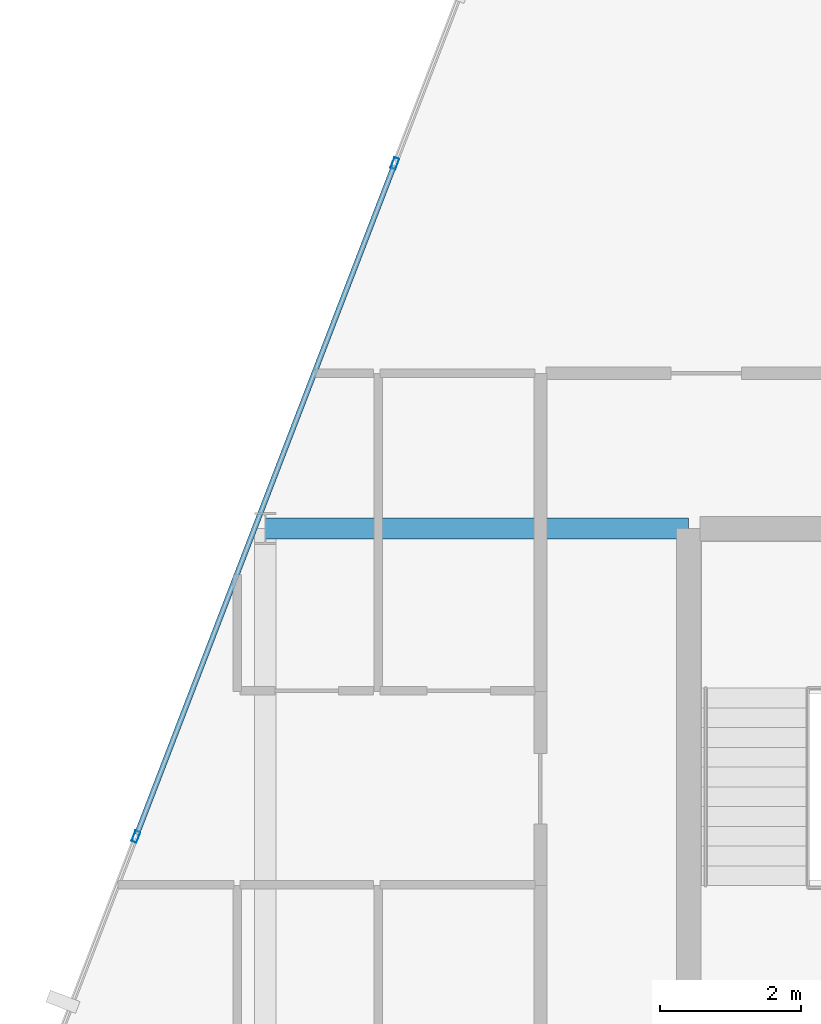
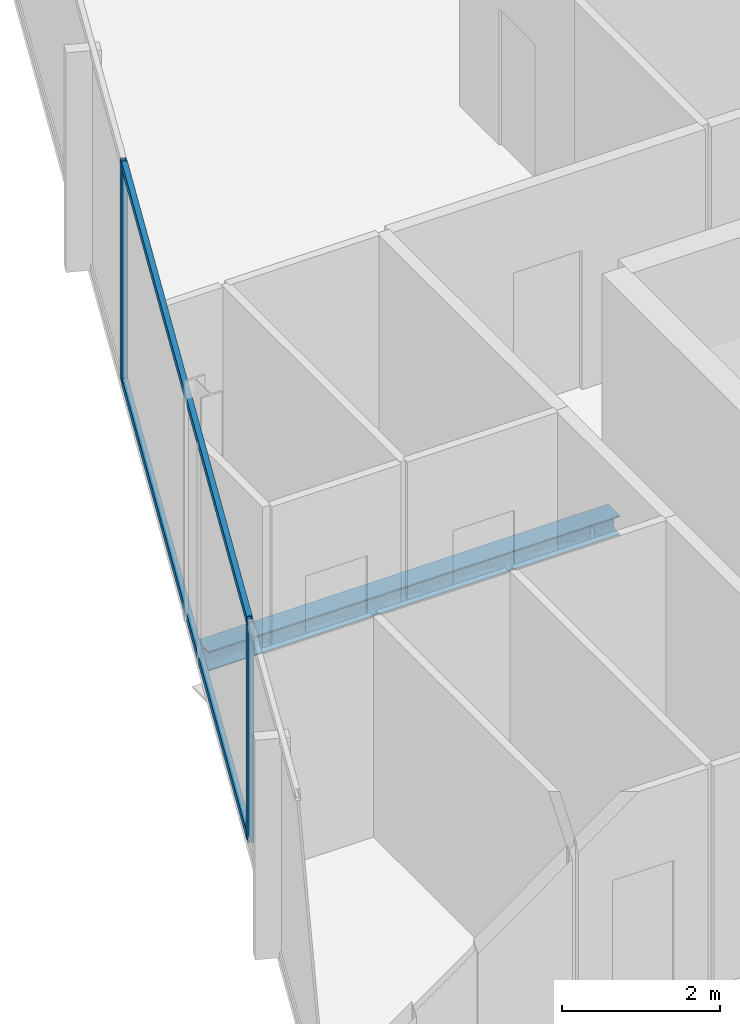
# One storey, part 16 of 29: 4 members, 1 beam, 1 element without a shape of its own.
"""IFC4 building model written with IfcOpenShell, lengths in metres."""

from ifc_helpers import new_model, si_unit, direction, frame, origin, origin_2d, place, context, subcontext, project, spatial, hollow_rectangle, i_section, extrude, material, layer, layer_set, material_profile, profile_set, type_object, element, aggregate, save


model = new_model("IFC4")

# Units and contexts
model_context = context("Model", 3, precision=1e-05, world=origin(), true_north=direction((0.0, 1.0)))
body_context = subcontext(model_context, "Body", "Model", "MODEL_VIEW")
ifc_project = project(units=[si_unit("LENGTHUNIT", "METRE"), si_unit("AREAUNIT", "SQUARE_METRE"), si_unit("VOLUMEUNIT", "CUBIC_METRE"), si_unit("PLANEANGLEUNIT", "RADIAN"), si_unit("MASSUNIT", "GRAM", prefix="KILO")], contexts=[model_context])

# Site, building, storey
site_placement = place(None, origin())
site = spatial("IfcSite", under=ifc_project, at=site_placement, CompositionType="ELEMENT")
building_placement = place(site_placement, origin())
building = spatial("IfcBuilding", under=site, at=building_placement, Name="Keshet Zoharim Tower", CompositionType="ELEMENT")
storey_placement = place(building_placement, frame((0.0, 0.0, 226.5)))
storey = spatial("IfcBuildingStorey", under=building, at=storey_placement, Name="L56", CompositionType="ELEMENT", Elevation=226.5)

# Beam
ifc_material_1 = material(Name="Steel S355", Category="steel")
ifc_material_profile_1 = material_profile(ifc_material_1, i_section(OverallWidth=0.300048828125, OverallDepth=0.300048828125, WebThickness=0.010986328125, FlangeThickness=0.01904296875, FilletRadius=0.027099609375, at=origin_2d()), Name="HEB300")
ifc_profile_set_1 = profile_set([ifc_material_profile_1], Name="Steel S355")
beam_type = type_object("IfcBeamType", Name="BM-PRI-HB300", PredefinedType="BEAM", material=ifc_profile_set_1)
beam_placement = place(storey_placement, frame((9.0, 37.89990234375, -0.4599609375), z_axis=(1.0, 0.0, 0.0), x_axis=(0.0, 1.0, 0.0)))
element("IfcBeam", 1, at=beam_placement, inside=storey, type_object=beam_type, Name="L56 Primary Girder X-017", PredefinedType="BEAM", context=body_context, shape_type="SweptSolid", body=[
    extrude(i_section(OverallWidth=0.300048828125, OverallDepth=0.300048828125, WebThickness=0.010986328125, FlangeThickness=0.01904296875, FilletRadius=0.027099609375, at=origin_2d()), origin(), (0.0, 0.0, 1.0), 6.0),
])

# Curtain wall, members
ifc_material_2 = material(Name="Aluminium 6063-T6", Category="aluminium")
ifc_layer = layer(ifc_material_2, 0.139892578125)
ifc_layer_set = layer_set([ifc_layer], Name="Aluminium 6063-T6")
curtain_wall_type = type_object("IfcCurtainWallType", Name="CW-SYS-05", PredefinedType="NOTDEFINED", material=ifc_layer_set)
curtain_wall_placement = place(storey_placement, origin())
curtain_wall = element("IfcCurtainWall", 2, at=curtain_wall_placement, inside=storey, type_object=curtain_wall_type, Name="L56 Unitised Curtain Wall 13", PredefinedType="NOTDEFINED")
ifc_material_profile_2 = material_profile(ifc_material_2, hollow_rectangle(XDim=0.074951171875, YDim=0.159912109375, WallThickness=0.00390625, at=origin_2d()), Name="MUL-75x160")
ifc_profile_set_2 = profile_set([ifc_material_profile_2], Name="Aluminium 6063-T6")
member_type_1 = type_object("IfcMemberType", Name="CWM-M15", PredefinedType="MULLION", material=ifc_profile_set_2)
member_1_placement = place(storey_placement, frame((7.1669921875, 33.53466796875, 0.0), z_axis=(0.0, 0.0, 1.0), x_axis=(-0.933341404361, 0.358990003907, 0.0)))
member_1 = element("IfcMember", 3, at=member_1_placement, type_object=member_type_1, Name="CW-05 mullion 2", PredefinedType="MULLION", context=body_context, shape_type="SweptSolid", body=[
    extrude(hollow_rectangle(XDim=0.074951171875, YDim=0.159912109375, WallThickness=0.00390625, at=origin_2d()), origin(), (0.0, 0.0, 1.0), 3.389892578125),
])
member_2_placement = place(storey_placement, frame((10.8369140625, 43.076416015625, 0.0), z_axis=(0.0, 0.0, 1.0), x_axis=(-0.933341404361, 0.358990003907, 0.0)))
member_2 = element("IfcMember", 4, at=member_2_placement, type_object=member_type_1, Name="CW-05 mullion 3", PredefinedType="MULLION", context=body_context, shape_type="SweptSolid", body=[
    extrude(hollow_rectangle(XDim=0.074951171875, YDim=0.159912109375, WallThickness=0.00390625, at=origin_2d()), origin(), (0.0, 0.0, 1.0), 3.389892578125),
])
ifc_material_profile_3 = material_profile(ifc_material_2, hollow_rectangle(XDim=0.074951171875, YDim=0.1201171875, WallThickness=0.00390625, at=origin_2d()), Name="TRN-75x120")
ifc_profile_set_3 = profile_set([ifc_material_profile_3], Name="Aluminium 6063-T6")
member_type_2 = type_object("IfcMemberType", Name="CWT-T12", PredefinedType="USERDEFINED", material=ifc_profile_set_3)
member_3_placement = place(storey_placement, frame((7.179443359375, 33.5673828125, 0.034912109375), z_axis=(0.359003248899, 0.933336309848, 0.0), x_axis=(-0.933336309848, 0.359003248899, 0.0)))
member_3 = element("IfcMember", 5, at=member_3_placement, type_object=member_type_2, Name="CW-05 transom 2.1", ObjectType="TRANSOM", PredefinedType="USERDEFINED", context=body_context, shape_type="SweptSolid", body=[
    extrude(hollow_rectangle(XDim=0.074951171875, YDim=0.1201171875, WallThickness=0.00390625, at=origin_2d()), origin(), (0.0, 0.0, 1.0), 10.153076171875),
])
member_4_placement = place(storey_placement, frame((7.179443359375, 33.5673828125, 3.35498046875), z_axis=(0.359003248899, 0.933336309848, 0.0), x_axis=(-0.933336309848, 0.359003248899, 0.0)))
member_4 = element("IfcMember", 6, at=member_4_placement, type_object=member_type_2, Name="CW-05 transom 2.2", ObjectType="TRANSOM", PredefinedType="USERDEFINED", context=body_context, shape_type="SweptSolid", body=[
    extrude(hollow_rectangle(XDim=0.074951171875, YDim=0.1201171875, WallThickness=0.00390625, at=origin_2d()), origin(), (0.0, 0.0, 1.0), 10.153076171875),
])
aggregate(curtain_wall, [member_1, member_2, member_3, member_4])

save(model, "model.ifc")
